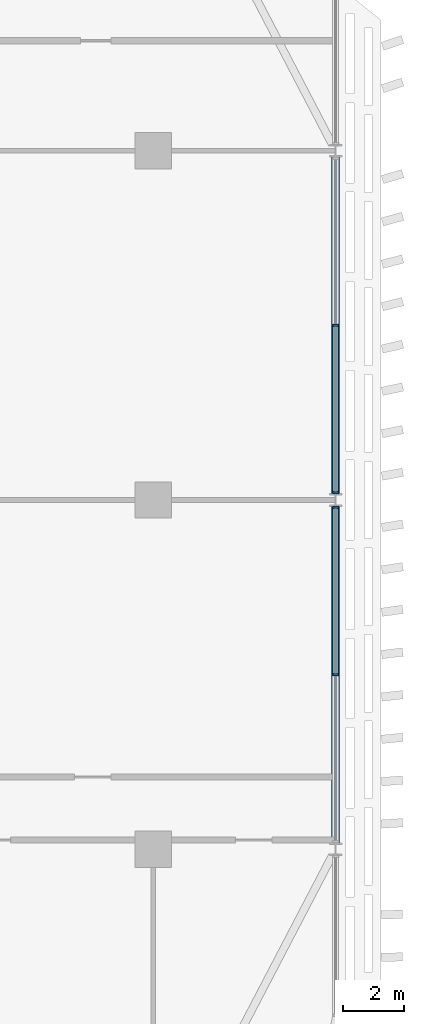
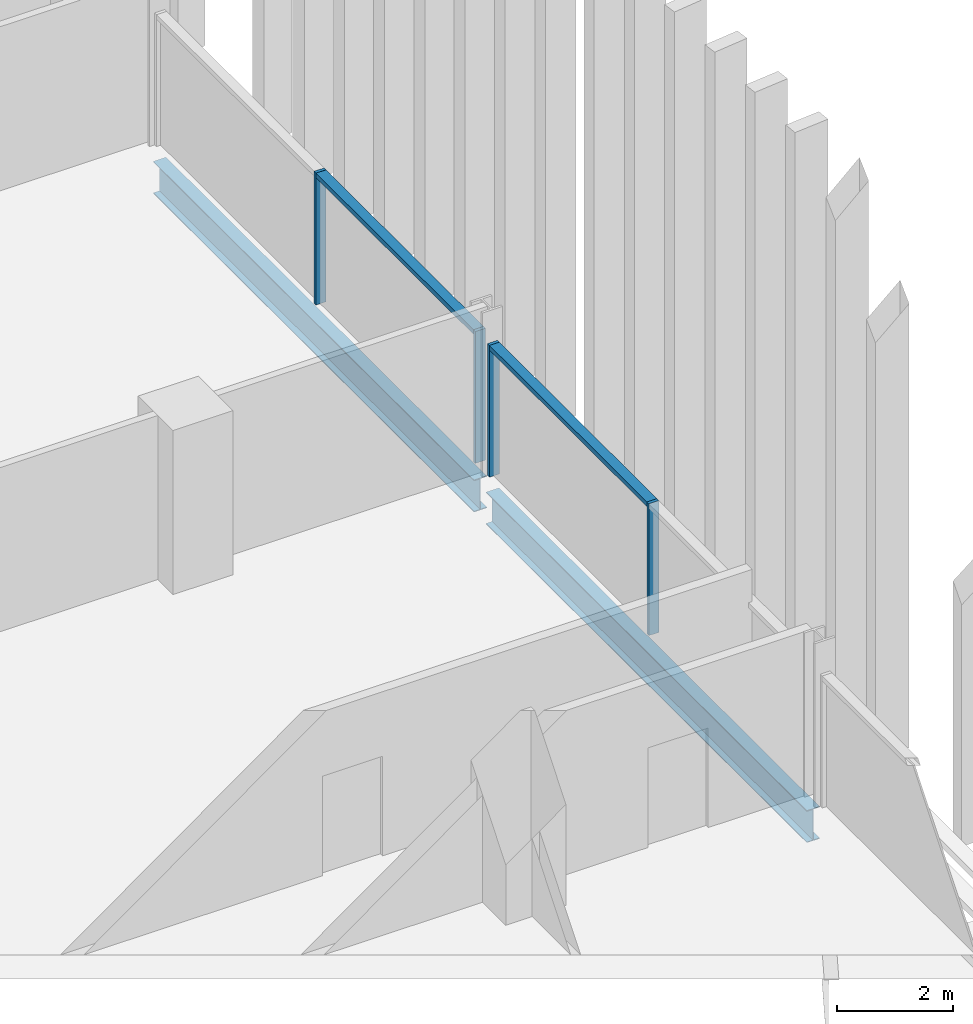
# One storey, part 9 of 28: 6 members, 2 beams, 2 elements without a shape of their own.
"""IFC4 building model written with IfcOpenShell, lengths in metres."""

from ifc_helpers import new_model, si_unit, direction, frame, origin, origin_2d, place, context, subcontext, project, spatial, rectangle, i_section, extrude, material, material_profile, profile_set, type_object, element, aggregate, save


model = new_model("IFC4")

# Units and contexts
model_context = context("Model", 3, precision=1e-05, world=origin(), true_north=direction((0.0, 1.0)))
body_context = subcontext(model_context, "Body", "Model", "MODEL_VIEW")
ifc_project = project(units=[si_unit("LENGTHUNIT", "METRE"), si_unit("AREAUNIT", "SQUARE_METRE"), si_unit("VOLUMEUNIT", "CUBIC_METRE"), si_unit("PLANEANGLEUNIT", "RADIAN"), si_unit("MASSUNIT", "GRAM", prefix="KILO")], contexts=[model_context])

# Site, building, storey
site_placement = place(None, origin())
site = spatial("IfcSite", under=ifc_project, at=site_placement, CompositionType="ELEMENT")
building_placement = place(site_placement, origin())
building = spatial("IfcBuilding", under=site, at=building_placement, Name="Mahtab Terrace Research Tower", CompositionType="ELEMENT")
storey_placement = place(building_placement, frame((0.0, 0.0, 174.39990234375)))
storey = spatial("IfcBuildingStorey", under=building, at=storey_placement, Name="L41", CompositionType="ELEMENT", Elevation=174.39990234375)

# Curtain wall, members
ifc_material_1 = material(Name="Laboratory ribbon curtain wall")
curtain_wall_type = type_object("IfcCurtainWallType", Name="Laboratory ribbon curtain wall", PredefinedType="NOTDEFINED", material=ifc_material_1)
curtain_wall_1_placement = place(storey_placement, origin())
curtain_wall_1 = element("IfcCurtainWall", 1, at=curtain_wall_1_placement, inside=storey, type_object=curtain_wall_type, Name="EN.L41.18.35", PredefinedType="NOTDEFINED")
ifc_material_2 = material(Name="Natural anodised aluminium", Category="aluminium")
ifc_material_profile_1 = material_profile(ifc_material_2, rectangle(XDim=0.199951171875, YDim=0.06494140625, at=origin_2d()), Name="MULLION 65x200")
ifc_profile_set_1 = profile_set([ifc_material_profile_1], Name="Natural anodised aluminium")
member_type_1 = type_object("IfcMemberType", Name="Laboratory ribbon curtain wall mullion", PredefinedType="MULLION", material=ifc_profile_set_1)
member_1_placement = place(storey_placement, frame((48.0, -5.75, 0.0), z_axis=(0.0, 0.0, 1.0), x_axis=(-1.0, 0.0, 0.0)))
member_1 = element("IfcMember", 2, at=member_1_placement, type_object=member_type_1, Name="CWL-5 mullion 2", PredefinedType="MULLION", context=body_context, shape_type="SweptSolid", body=[
    extrude(rectangle(XDim=0.199951171875, YDim=0.06494140625, at=origin_2d()), origin(), (0.0, 0.0, 1.0), 2.781982421875),
])
member_2_placement = place(storey_placement, frame((48.0, -0.240478515625, 0.0), z_axis=(0.0, 0.0, 1.0), x_axis=(-1.0, 0.0, 0.0)))
member_2 = element("IfcMember", 3, at=member_2_placement, type_object=member_type_1, Name="CWL-5 mullion 3", PredefinedType="MULLION", context=body_context, shape_type="SweptSolid", body=[
    extrude(rectangle(XDim=0.199951171875, YDim=0.06494140625, at=origin_2d()), origin(), (0.0, 0.0, 1.0), 2.781982421875),
])

curtain_wall_2_placement = place(storey_placement, origin())
curtain_wall_2 = element("IfcCurtainWall", 4, at=curtain_wall_2_placement, inside=storey, type_object=curtain_wall_type, Name="EN.L41.18.36", PredefinedType="NOTDEFINED")
member_3_placement = place(storey_placement, frame((48.0, 0.240478515625, 0.0), z_axis=(0.0, 0.0, 1.0), x_axis=(-1.0, 0.0, 0.0)))
member_3 = element("IfcMember", 5, at=member_3_placement, type_object=member_type_1, Name="CWL-5 mullion 1", PredefinedType="MULLION", context=body_context, shape_type="SweptSolid", body=[
    extrude(rectangle(XDim=0.199951171875, YDim=0.06494140625, at=origin_2d()), origin(), (0.0, 0.0, 1.0), 2.781982421875),
])
member_4_placement = place(storey_placement, frame((48.0, 5.75, 0.0), z_axis=(0.0, 0.0, 1.0), x_axis=(-1.0, 0.0, 0.0)))
member_4 = element("IfcMember", 6, at=member_4_placement, type_object=member_type_1, Name="CWL-5 mullion 2", PredefinedType="MULLION", context=body_context, shape_type="SweptSolid", body=[
    extrude(rectangle(XDim=0.199951171875, YDim=0.06494140625, at=origin_2d()), origin(), (0.0, 0.0, 1.0), 2.781982421875),
])

# Member
ifc_material_profile_2 = material_profile(ifc_material_2, rectangle(XDim=0.199951171875, YDim=0.10009765625, at=origin_2d()), Name="TRANSOM 100x200")
ifc_profile_set_2 = profile_set([ifc_material_profile_2], Name="Natural anodised aluminium")
member_type_2 = type_object("IfcMemberType", Name="Laboratory ribbon curtain wall transom", PredefinedType="USERDEFINED", material=ifc_profile_set_2)
member_5_placement = place(storey_placement, frame((48.0, -5.717529296875, 2.73193359375), z_axis=(0.0, 1.0, 0.0), x_axis=(-1.0, 0.0, 0.0)))
member_5 = element("IfcMember", 7, at=member_5_placement, type_object=member_type_2, Name="CWL-5 transom 2", ObjectType="TRANSOM", PredefinedType="USERDEFINED", context=body_context, shape_type="SweptSolid", body=[
    extrude(rectangle(XDim=0.199951171875, YDim=0.10009765625, at=origin_2d()), origin(), (0.0, 0.0, 1.0), 5.444580078125),
])

aggregate(curtain_wall_1, [member_1, member_2, member_5])

member_6_placement = place(storey_placement, frame((48.0, 0.27294921875, 2.73193359375), z_axis=(0.0, 1.0, 0.0), x_axis=(-1.0, 0.0, 0.0)))
member_6 = element("IfcMember", 8, at=member_6_placement, type_object=member_type_2, Name="CWL-5 transom 1", ObjectType="TRANSOM", PredefinedType="USERDEFINED", context=body_context, shape_type="SweptSolid", body=[
    extrude(rectangle(XDim=0.199951171875, YDim=0.10009765625, at=origin_2d()), origin(), (0.0, 0.0, 1.0), 5.444580078125),
])

aggregate(curtain_wall_2, [member_3, member_4, member_6])

# Beams
ifc_material_3 = material(Name="Steel ASTM A992 Gr 50", Category="steel")
ifc_material_profile_3 = material_profile(ifc_material_3, i_section(OverallWidth=0.25390625, OverallDepth=0.67822265625, WebThickness=0.01171875, FlangeThickness=0.016357421875, at=origin_2d()), Name="W27X84")
ifc_profile_set_3 = profile_set([ifc_material_profile_3], Name="Steel ASTM A992 Gr 50")
beam_type = type_object("IfcBeamType", Name="W27x84 beam BS2784", PredefinedType="BEAM", material=ifc_profile_set_3)
for number, where, z_axis, x_axis, name in (
    (9, (48.0, -11.291748046875, -0.678955078125), (0.0, 1.0, 0.0), (-1.0, 0.0, 0.0), "Spandrel beam L41 20"),
    (10, (48.0, 0.208251953125, -0.678955078125), (0.0, 1.0, 0.0), (-1.0, 0.0, 0.0), "Spandrel beam L41 21"),
):
    element("IfcBeam", number, at=place(storey_placement, frame(where, z_axis=z_axis, x_axis=x_axis)), inside=storey, type_object=beam_type, Name=name, PredefinedType="BEAM", context=body_context, shape_type="SweptSolid", body=[
        extrude(i_section(OverallWidth=0.25390625, OverallDepth=0.67822265625, WebThickness=0.01171875, FlangeThickness=0.016357421875, at=origin_2d()), origin(), (0.0, 0.0, 1.0), 11.08349609375),
    ])

save(model, "model.ifc")
